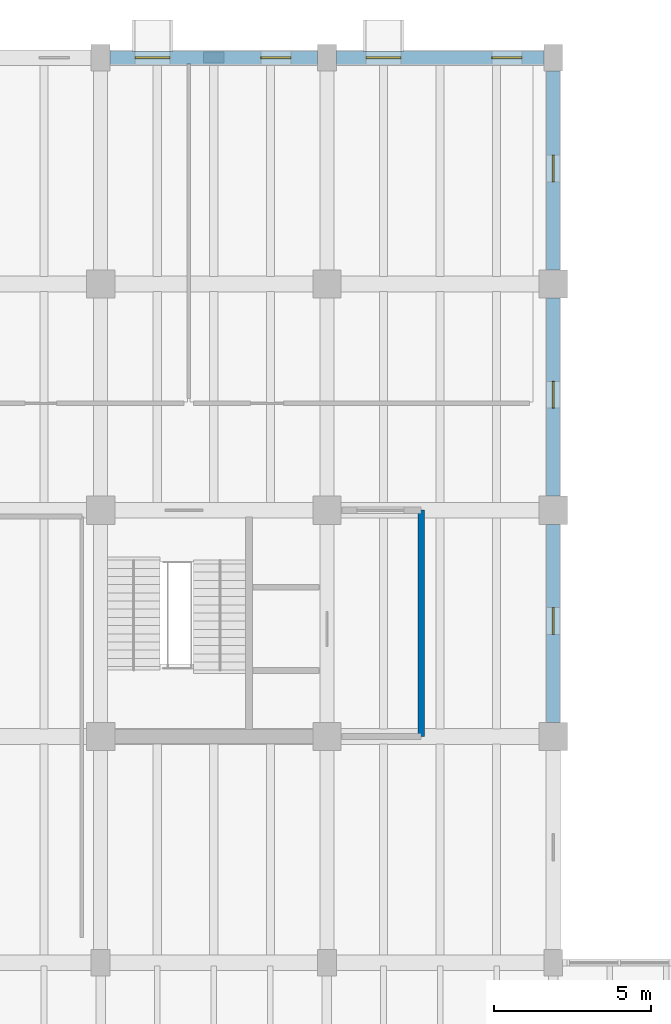
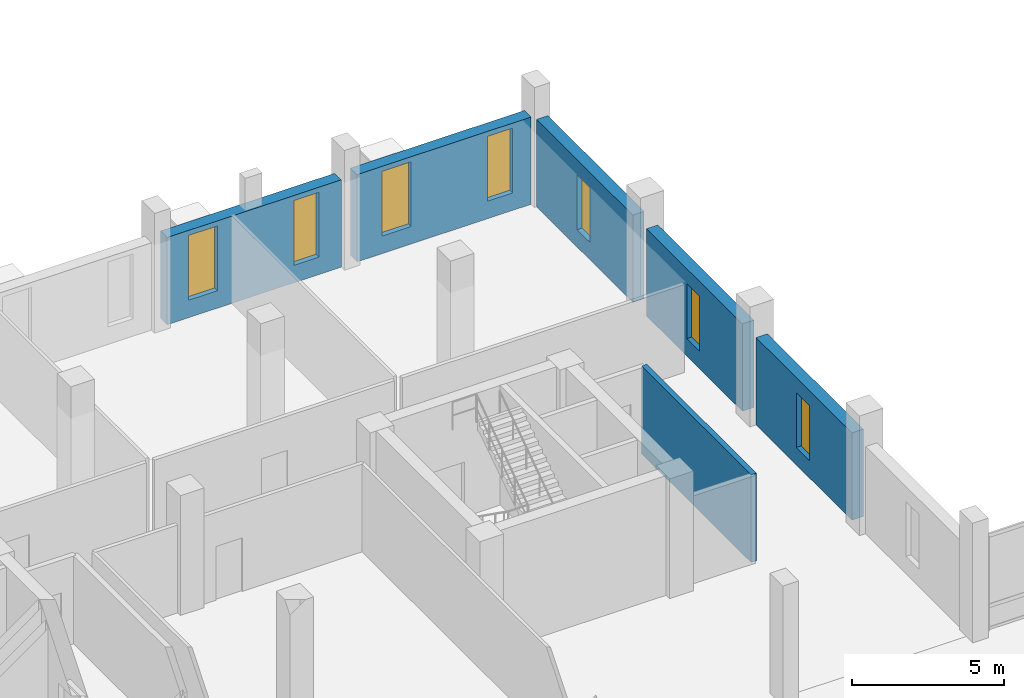
# One storey, part 68 of 77: 7 windows, 6 walls, 7 openings.
"""IFC4 building model written with IfcOpenShell, lengths in metres."""

from ifc_helpers import new_model, si_unit, direction, frame, frame_2d, origin, place, context, subcontext, project, spatial, rectangle, extrude, material, layer, layer_set, type_object, element, fill, save


model = new_model("IFC4")

# Units and contexts
model_context = context("Model", 3, precision=1e-05, world=origin(), true_north=direction((0.0, 1.0)))
body_context = subcontext(model_context, "Body", "Model", "MODEL_VIEW")
ifc_project = project(units=[si_unit("LENGTHUNIT", "METRE"), si_unit("AREAUNIT", "SQUARE_METRE"), si_unit("VOLUMEUNIT", "CUBIC_METRE"), si_unit("PLANEANGLEUNIT", "RADIAN"), si_unit("MASSUNIT", "GRAM", prefix="KILO")], contexts=[model_context])

# Site, building, storey
site_placement = place(None, origin())
site = spatial("IfcSite", under=ifc_project, at=site_placement, CompositionType="ELEMENT")
building_placement = place(site_placement, origin())
building = spatial("IfcBuilding", under=site, at=building_placement, Name="Qiaolan Assembly House", CompositionType="ELEMENT")
storey_placement = place(building_placement, frame((0.0, 0.0, 5.39990234375)))
storey = spatial("IfcBuildingStorey", under=building, at=storey_placement, Name="L01", CompositionType="ELEMENT", Elevation=5.39990234375)

# Wall, openings, windows
ifc_material_1 = material(Name="Honed pale limestone", Category="masonry")
ifc_layer_1 = layer(ifc_material_1, 0.43505859375)
ifc_layer_set_1 = layer_set([ifc_layer_1], Name="Honed pale limestone")
wall_type_1 = type_object("IfcWallType", Name="WAL-EXT-RUSTIC-420", PredefinedType="SOLIDWALL", material=ifc_layer_set_1)
wall_1_placement = place(storey_placement, frame((93.302001953125, 115.199951171875, 0.0), z_axis=(0.0, 0.0, 1.0), x_axis=(-1.0, 0.0, 0.0)))
wall_1 = element("IfcWall", 1, at=wall_1_placement, inside=storey, type_object=wall_type_1, Name="EW-420 NW North street wall L01 bay 8", PredefinedType="SOLIDWALL", context=body_context, shape_type="SweptSolid", body=[
    extrude(rectangle(XDim=6.60400390625, YDim=0.43505859375, at=frame_2d((3.302001953125, 0.0))), origin(), (0.0, 0.0, 1.0), 3.5),
])
opening_1_placement = place(wall_1_placement, frame((0.85205078125, 0.0, 0.699951171875)))
opening_1 = element("IfcOpeningElement", 2, at=opening_1_placement, cuts=wall_1, Name="Opening WN-030", PredefinedType="OPENING", context=body_context, shape_type="SweptSolid", body=[
    extrude(rectangle(XDim=0.949951171875, YDim=2.60009765625, at=frame_2d((0.47509765625, 1.300048828125))), frame((0.0, 0.2275390625, 0.0), z_axis=(0.0, -1.0, 0.0), x_axis=(1.0, 0.0, 0.0)), (0.0, 0.0, 1.0), 0.455078125),
])
opening_2_placement = place(wall_1_placement, frame((4.701904296875, 0.0, 0.699951171875)))
opening_2 = element("IfcOpeningElement", 3, at=opening_2_placement, cuts=wall_1, Name="Opening WN-031", PredefinedType="OPENING", context=body_context, shape_type="SweptSolid", body=[
    extrude(rectangle(XDim=1.10009765625, YDim=2.60009765625, at=frame_2d((0.550048828125, 1.300048828125))), frame((0.0, 0.2275390625, 0.0), z_axis=(0.0, -1.0, 0.0), x_axis=(1.0, 0.0, 0.0)), (0.0, 0.0, 1.0), 0.455078125),
])
ifc_material_2 = material(Name="Low-E double insulating glass", Category="glass")
window_type_1 = type_object("IfcWindowType", Name="WIN-BOX-1100x2600", PartitioningType="SINGLE_PANEL", PredefinedType="WINDOW", material=ifc_material_2)
window_1_placement = place(opening_2_placement, origin())
window_1 = element("IfcWindow", 4, at=window_1_placement, inside=storey, type_object=window_type_1, Name="WN-T02 window WN-031", OverallHeight=2.60009765625, OverallWidth=1.10009765625, PartitioningType="SINGLE_PANEL", PredefinedType="WINDOW", context=body_context, shape_type="SweptSolid", body=[
    extrude(rectangle(XDim=1.10009765625, YDim=2.60009765625, at=frame_2d((0.550048828125, 1.300048828125))), frame((0.0, 0.030029296875, 0.0), z_axis=(0.0, -1.0, 0.0), x_axis=(1.0, 0.0, 0.0)), (0.0, 0.0, 1.0), 0.06005859375),
])
fill(opening_2, window_1)
window_type_2 = type_object("IfcWindowType", Name="WIN-PUNCH-950x2600", PartitioningType="SINGLE_PANEL", PredefinedType="WINDOW", material=ifc_material_2)
window_2_placement = place(opening_1_placement, origin())
window_2 = element("IfcWindow", 5, at=window_2_placement, inside=storey, type_object=window_type_2, Name="WN-T03 window WN-030", OverallHeight=2.60009765625, OverallWidth=0.949951171875, PartitioningType="SINGLE_PANEL", PredefinedType="WINDOW", context=body_context, shape_type="SweptSolid", body=[
    extrude(rectangle(XDim=0.949951171875, YDim=2.60009765625, at=frame_2d((0.47509765625, 1.300048828125))), frame((0.0, 0.030029296875, 0.0), z_axis=(0.0, -1.0, 0.0), x_axis=(1.0, 0.0, 0.0)), (0.0, 0.0, 1.0), 0.06005859375),
])
fill(opening_1, window_2)

wall_2_placement = place(storey_placement, frame((100.501953125, 115.199951171875, 0.0), z_axis=(0.0, 0.0, 1.0), x_axis=(-1.0, 0.0, 0.0)))
wall_2 = element("IfcWall", 6, at=wall_2_placement, inside=storey, type_object=wall_type_1, Name="EW-420 NW North street wall L01 bay 9", PredefinedType="SOLIDWALL", context=body_context, shape_type="SweptSolid", body=[
    extrude(rectangle(XDim=6.60400390625, YDim=0.43505859375, at=frame_2d((3.302001953125, 0.0))), origin(), (0.0, 0.0, 1.0), 3.5),
])
opening_3_placement = place(wall_2_placement, frame((0.701904296875, 0.0, 0.699951171875)))
opening_3 = element("IfcOpeningElement", 7, at=opening_3_placement, cuts=wall_2, Name="Opening WN-032", PredefinedType="OPENING", context=body_context, shape_type="SweptSolid", body=[
    extrude(rectangle(XDim=0.949951171875, YDim=2.60009765625, at=frame_2d((0.47509765625, 1.300048828125))), frame((0.0, 0.2275390625, 0.0), z_axis=(0.0, -1.0, 0.0), x_axis=(1.0, 0.0, 0.0)), (0.0, 0.0, 1.0), 0.455078125),
])
opening_4_placement = place(wall_2_placement, frame((4.552001953125, 0.0, 0.699951171875)))
opening_4 = element("IfcOpeningElement", 8, at=opening_4_placement, cuts=wall_2, Name="Opening WN-033", PredefinedType="OPENING", context=body_context, shape_type="SweptSolid", body=[
    extrude(rectangle(XDim=1.10009765625, YDim=2.60009765625, at=frame_2d((0.550048828125, 1.300048828125))), frame((0.0, 0.2275390625, 0.0), z_axis=(0.0, -1.0, 0.0), x_axis=(1.0, 0.0, 0.0)), (0.0, 0.0, 1.0), 0.455078125),
])
window_3_placement = place(opening_4_placement, origin())
window_3 = element("IfcWindow", 9, at=window_3_placement, inside=storey, type_object=window_type_1, Name="WN-T02 window WN-033", OverallHeight=2.60009765625, OverallWidth=1.10009765625, PartitioningType="SINGLE_PANEL", PredefinedType="WINDOW", context=body_context, shape_type="SweptSolid", body=[
    extrude(rectangle(XDim=1.10009765625, YDim=2.60009765625, at=frame_2d((0.550048828125, 1.300048828125))), frame((0.0, 0.030029296875, 0.0), z_axis=(0.0, -1.0, 0.0), x_axis=(1.0, 0.0, 0.0)), (0.0, 0.0, 1.0), 0.06005859375),
])
fill(opening_4, window_3)
window_4_placement = place(opening_3_placement, origin())
window_4 = element("IfcWindow", 10, at=window_4_placement, inside=storey, type_object=window_type_2, Name="WN-T03 window WN-032", OverallHeight=2.60009765625, OverallWidth=0.949951171875, PartitioningType="SINGLE_PANEL", PredefinedType="WINDOW", context=body_context, shape_type="SweptSolid", body=[
    extrude(rectangle(XDim=0.949951171875, YDim=2.60009765625, at=frame_2d((0.47509765625, 1.300048828125))), frame((0.0, 0.030029296875, 0.0), z_axis=(0.0, -1.0, 0.0), x_axis=(1.0, 0.0, 0.0)), (0.0, 0.0, 1.0), 0.06005859375),
])
fill(opening_3, window_4)

# Wall, opening, window
wall_3_placement = place(storey_placement, frame((100.800048828125, 100.35205078125, 0.0), z_axis=(0.0, 0.0, 1.0), x_axis=(0.0, -1.0, 0.0)))
wall_3 = element("IfcWall", 11, at=wall_3_placement, inside=storey, type_object=wall_type_1, Name="NW East wall L01-2", PredefinedType="SOLIDWALL", context=body_context, shape_type="SweptSolid", body=[
    extrude(rectangle(XDim=6.303955078125, YDim=0.43505859375, at=frame_2d((3.15185546875, 0.0))), origin(), (0.0, 0.0, 1.0), 3.5),
])
opening_5_placement = place(wall_3_placement, frame((2.652099609375, 0.0, 0.699951171875)))
opening_5 = element("IfcOpeningElement", 12, at=opening_5_placement, cuts=wall_3, Name="Opening WN-037", PredefinedType="OPENING", context=body_context, shape_type="SweptSolid", body=[
    extrude(rectangle(XDim=0.85009765625, YDim=2.199951171875, at=frame_2d((0.425048828125, 1.10009765625))), frame((0.0, 0.2275390625, 0.0), z_axis=(0.0, -1.0, 0.0), x_axis=(1.0, 0.0, 0.0)), (0.0, 0.0, 1.0), 0.455078125),
])
window_type_3 = type_object("IfcWindowType", Name="WIN-END-850x2200", PartitioningType="SINGLE_PANEL", PredefinedType="WINDOW", material=ifc_material_2)
window_5_placement = place(opening_5_placement, origin())
window_5 = element("IfcWindow", 13, at=window_5_placement, inside=storey, type_object=window_type_3, Name="NW East window WN-037", OverallHeight=2.199951171875, OverallWidth=0.85009765625, PartitioningType="SINGLE_PANEL", PredefinedType="WINDOW", context=body_context, shape_type="SweptSolid", body=[
    extrude(rectangle(XDim=0.85009765625, YDim=2.199951171875, at=frame_2d((0.425048828125, 1.10009765625))), frame((0.0, 0.030029296875, 0.0), z_axis=(0.0, -1.0, 0.0), x_axis=(1.0, 0.0, 0.0)), (0.0, 0.0, 1.0), 0.06005859375),
])
fill(opening_5, window_5)

wall_4_placement = place(storey_placement, frame((100.800048828125, 107.552001953125, 0.0), z_axis=(0.0, 0.0, 1.0), x_axis=(0.0, -1.0, 0.0)))
wall_4 = element("IfcWall", 14, at=wall_4_placement, inside=storey, type_object=wall_type_1, Name="NW East wall L01-3", PredefinedType="SOLIDWALL", context=body_context, shape_type="SweptSolid", body=[
    extrude(rectangle(XDim=6.303955078125, YDim=0.43505859375, at=frame_2d((3.15185546875, 0.0))), origin(), (0.0, 0.0, 1.0), 3.5),
])
opening_6_placement = place(wall_4_placement, frame((2.652099609375, 0.0, 0.699951171875)))
opening_6 = element("IfcOpeningElement", 15, at=opening_6_placement, cuts=wall_4, Name="Opening WN-039", PredefinedType="OPENING", context=body_context, shape_type="SweptSolid", body=[
    extrude(rectangle(XDim=0.85009765625, YDim=2.199951171875, at=frame_2d((0.425048828125, 1.10009765625))), frame((0.0, 0.2275390625, 0.0), z_axis=(0.0, -1.0, 0.0), x_axis=(1.0, 0.0, 0.0)), (0.0, 0.0, 1.0), 0.455078125),
])
window_6_placement = place(opening_6_placement, origin())
window_6 = element("IfcWindow", 16, at=window_6_placement, inside=storey, type_object=window_type_3, Name="NW East window WN-039", OverallHeight=2.199951171875, OverallWidth=0.85009765625, PartitioningType="SINGLE_PANEL", PredefinedType="WINDOW", context=body_context, shape_type="SweptSolid", body=[
    extrude(rectangle(XDim=0.85009765625, YDim=2.199951171875, at=frame_2d((0.425048828125, 1.10009765625))), frame((0.0, 0.030029296875, 0.0), z_axis=(0.0, -1.0, 0.0), x_axis=(1.0, 0.0, 0.0)), (0.0, 0.0, 1.0), 0.06005859375),
])
fill(opening_6, window_6)

wall_5_placement = place(storey_placement, frame((100.800048828125, 114.777099609375, 0.0), z_axis=(0.0, 0.0, 1.0), x_axis=(0.0, -1.0, 0.0)))
wall_5 = element("IfcWall", 17, at=wall_5_placement, inside=storey, type_object=wall_type_1, Name="NW East wall L01-4", PredefinedType="SOLIDWALL", context=body_context, shape_type="SweptSolid", body=[
    extrude(rectangle(XDim=6.3291015625, YDim=0.43505859375, at=frame_2d((3.16455078125, 0.0))), origin(), (0.0, 0.0, 1.0), 3.5),
])
opening_7_placement = place(wall_5_placement, frame((2.677001953125, 0.0, 0.699951171875)))
opening_7 = element("IfcOpeningElement", 18, at=opening_7_placement, cuts=wall_5, Name="Opening WN-041", PredefinedType="OPENING", context=body_context, shape_type="SweptSolid", body=[
    extrude(rectangle(XDim=0.85009765625, YDim=2.199951171875, at=frame_2d((0.425048828125, 1.10009765625))), frame((0.0, 0.2275390625, 0.0), z_axis=(0.0, -1.0, 0.0), x_axis=(1.0, 0.0, 0.0)), (0.0, 0.0, 1.0), 0.455078125),
])
window_7_placement = place(opening_7_placement, origin())
window_7 = element("IfcWindow", 19, at=window_7_placement, inside=storey, type_object=window_type_3, Name="NW East window WN-041", OverallHeight=2.199951171875, OverallWidth=0.85009765625, PartitioningType="SINGLE_PANEL", PredefinedType="WINDOW", context=body_context, shape_type="SweptSolid", body=[
    extrude(rectangle(XDim=0.85009765625, YDim=2.199951171875, at=frame_2d((0.425048828125, 1.10009765625))), frame((0.0, 0.030029296875, 0.0), z_axis=(0.0, -1.0, 0.0), x_axis=(1.0, 0.0, 0.0)), (0.0, 0.0, 1.0), 0.06005859375),
])
fill(opening_7, window_7)

# Wall
ifc_material_3 = material(Name="Concrete C35/45", Category="concrete")
ifc_layer_2 = layer(ifc_material_3, 0.199951171875)
ifc_layer_set_2 = layer_set([ifc_layer_2], Name="Concrete C35/45")
wall_type_2 = type_object("IfcWallType", Name="WAL-LOBBY-200", PredefinedType="PARTITIONING", material=ifc_layer_set_2)
wall_6_placement = place(storey_placement, frame((96.60009765625, 93.60009765625, 0.0), z_axis=(0.0, 0.0, 1.0), x_axis=(0.0, 1.0, 0.0)))
element("IfcWall", 20, at=wall_6_placement, inside=storey, type_object=wall_type_2, Name="Firefighting lift lobby east wall CORE-G L01", PredefinedType="PARTITIONING", context=body_context, shape_type="SweptSolid", body=[
    extrude(rectangle(XDim=7.199951171875, YDim=0.199951171875, at=frame_2d((3.60009765625, 0.0))), origin(), (0.0, 0.0, 1.0), 3.52001953125),
])

save(model, "model.ifc")
